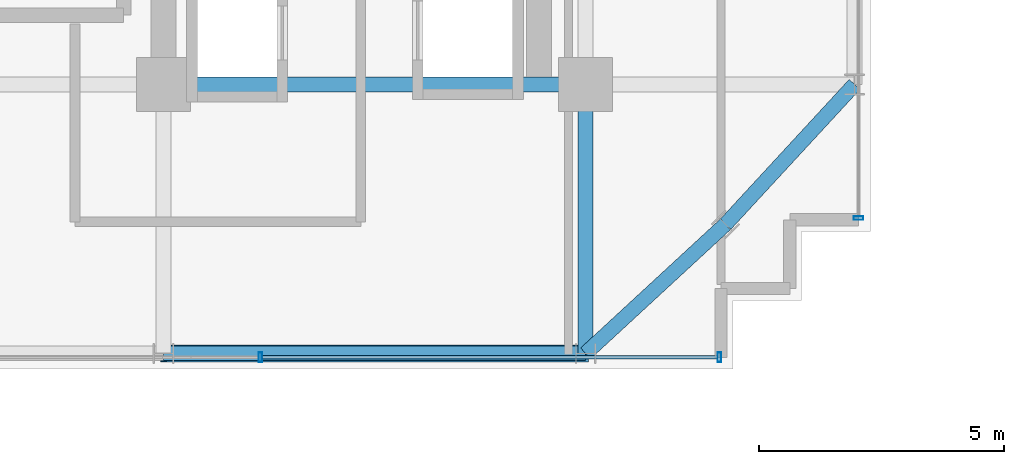
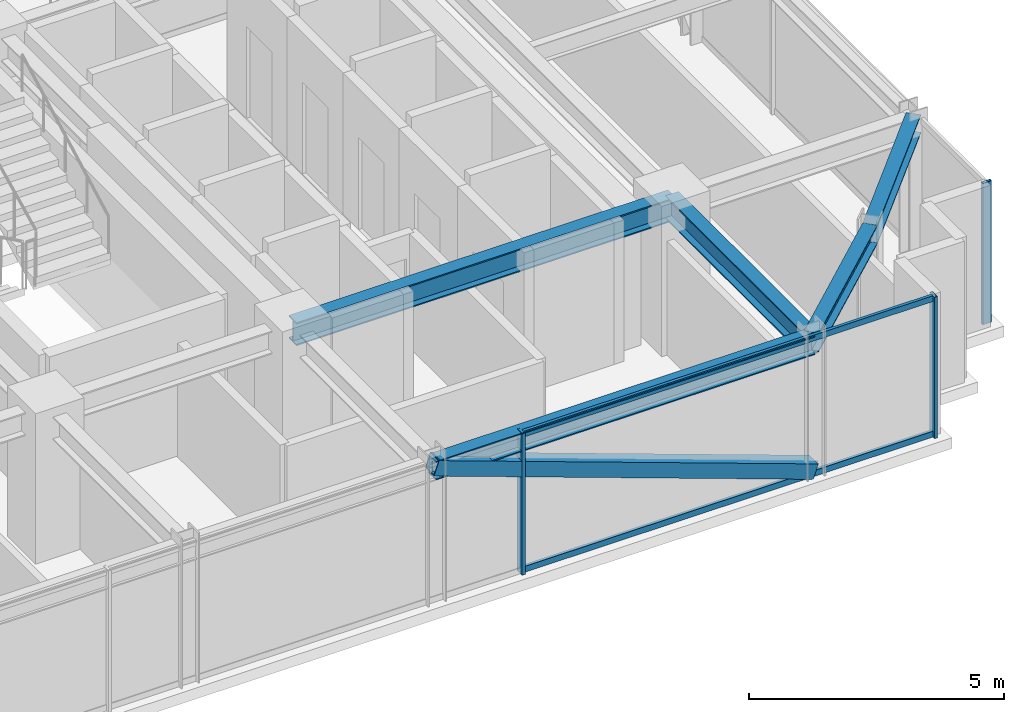
# One storey, part 13 of 38: 6 members, 5 beams, 2 elements without a shape of their own.
"""IFC4 building model written with IfcOpenShell, lengths in metres."""

from ifc_helpers import new_model, si_unit, direction, frame, origin, origin_2d, place, context, subcontext, project, spatial, hollow_rectangle, i_section, extrude, source, transform, mapped, material, material_profile, profile_set, type_object, element, aggregate, save


model = new_model("IFC4")

# Units and contexts
model_context = context("Model", 3, precision=1e-05, world=origin(), true_north=direction((0.0, 1.0)))
body_context = subcontext(model_context, "Body", "Model", "MODEL_VIEW")
ifc_project = project(units=[si_unit("LENGTHUNIT", "METRE"), si_unit("AREAUNIT", "SQUARE_METRE"), si_unit("VOLUMEUNIT", "CUBIC_METRE"), si_unit("PLANEANGLEUNIT", "RADIAN"), si_unit("MASSUNIT", "GRAM", prefix="KILO")], contexts=[model_context])

# Site, building, storey
site_placement = place(None, origin())
site = spatial("IfcSite", under=ifc_project, at=site_placement, CompositionType="ELEMENT")
building_placement = place(site_placement, origin())
building = spatial("IfcBuilding", under=site, at=building_placement, Name="Nahalor Promenade Grand Hotel", CompositionType="ELEMENT")
storey_placement = place(building_placement, frame((0.0, 0.0, 178.199951171875)))
storey = spatial("IfcBuildingStorey", under=building, at=storey_placement, Name="L45", CompositionType="ELEMENT", Elevation=178.199951171875)

# Beams
ifc_material_1 = material(Name="Steel S355JR", Category="steel")
ifc_material_profile_1 = material_profile(ifc_material_1, i_section(OverallWidth=0.3, OverallDepth=0.55, WebThickness=0.015, FlangeThickness=0.029, at=origin_2d()), Name="HEB 550")
ifc_profile_set_1 = profile_set([ifc_material_profile_1], Name="Steel S355JR")
beam_type_1 = type_object("IfcBeamType", Name="Beam-Girder-HEB550", PredefinedType="BEAM", material=ifc_profile_set_1)
shared_shape_1 = source(origin(), body_context, "Body", "SweptSolid", [
    extrude(i_section(OverallWidth=0.3, OverallDepth=0.55, WebThickness=0.015, FlangeThickness=0.029, at=origin_2d()), origin(), (0.0, 0.0, 1.0), 8.60009765625),
])
beam_1_placement = place(storey_placement, frame((8.39990234375, -17.0, 3.114990234375), z_axis=(1.0, 0.0, 0.0), x_axis=(0.0, 1.0, 0.0)))
element("IfcBeam", 1, at=beam_1_placement, inside=storey, type_object=beam_type_1, Name="BM-L45-GX-0-5", PredefinedType="BEAM", context=body_context, shape_type="MappedRepresentation", body=[
    mapped(shared_shape_1, transform((0.0, 0.0, 0.0), scale=1.0)),
])
shared_shape_2 = source(origin(), body_context, "Body", "SweptSolid", [
    extrude(i_section(OverallWidth=0.3, OverallDepth=0.55, WebThickness=0.015, FlangeThickness=0.029, at=origin_2d()), origin(), (0.0, 0.0, 1.0), 5.47998046875),
])
beam_2_placement = place(storey_placement, frame((17.0, -22.47998046875, 3.114990234375), z_axis=(0.0, 1.0, 0.0), x_axis=(-1.0, 0.0, 0.0)))
element("IfcBeam", 2, at=beam_2_placement, inside=storey, type_object=beam_type_1, Name="BM-L45-GY-5-0", PredefinedType="BEAM", context=body_context, shape_type="MappedRepresentation", body=[
    mapped(shared_shape_2, transform((0.0, 0.0, 0.0), scale=1.0)),
])
ifc_material_profile_2 = material_profile(ifc_material_1, i_section(OverallWidth=0.3, OverallDepth=0.45, WebThickness=0.014, FlangeThickness=0.026, at=origin_2d()), Name="HEB 450")
ifc_profile_set_2 = profile_set([ifc_material_profile_2], Name="Steel S355JR")
beam_type_2 = type_object("IfcBeamType", Name="Beam-Spandrel-HEB450", PredefinedType="SPANDREL", material=ifc_profile_set_2)
shared_shape_3 = source(origin(), body_context, "Body", "SweptSolid", [
    extrude(i_section(OverallWidth=0.3, OverallDepth=0.45, WebThickness=0.014, FlangeThickness=0.026, at=origin_2d()), origin(), (0.0, 0.0, 1.0), 8.60009765625),
])
beam_3_placement = place(storey_placement, frame((8.39990234375, -22.47998046875, 3.1650390625), z_axis=(1.0, 0.0, 0.0), x_axis=(0.0, 1.0, 0.0)))
element("IfcBeam", 3, at=beam_3_placement, inside=storey, type_object=beam_type_2, Name="BM-L45-SP-S-4", PredefinedType="SPANDREL", context=body_context, shape_type="MappedRepresentation", body=[
    mapped(shared_shape_3, transform((0.0, 0.0, 0.0), scale=1.0)),
])
shared_shape_4 = source(origin(), body_context, "Body", "SweptSolid", [
    extrude(i_section(OverallWidth=0.3, OverallDepth=0.45, WebThickness=0.014, FlangeThickness=0.026, at=origin_2d()), origin(), (0.0, 0.0, 1.0), 3.878173828125),
])
for number, where, z_axis, x_axis, name in (
    (4, (17.0, -22.47998046875, 3.1650390625), (0.73492893846, 0.678144125843, 0.0), (-0.678144125843, 0.73492893846, 0.0), "BM-L45-SPC-SE-1"),
    (5, (19.85009765625, -19.85009765625, 3.1650390625), (0.678144125843, 0.73492893846, 0.0), (-0.73492893846, 0.678144125843, 0.0), "BM-L45-SPC-SE-2"),
):
    element("IfcBeam", number, at=place(storey_placement, frame(where, z_axis=z_axis, x_axis=x_axis)), inside=storey, type_object=beam_type_2, Name=name, PredefinedType="SPANDREL", context=body_context, shape_type="MappedRepresentation", body=[
        mapped(shared_shape_4, transform((0.0, 0.0, 0.0), scale=1.0)),
    ])

# Member
ifc_material_profile_3 = material_profile(ifc_material_1, hollow_rectangle(XDim=0.35, YDim=0.35, WallThickness=0.02, at=origin_2d()), Name="SHS 350x350x20")
ifc_profile_set_3 = profile_set([ifc_material_profile_3], Name="Steel S355JR")
member_type_1 = type_object("IfcMemberType", Name="Mem-VoidBrace-SHS350", PredefinedType="BRACE", material=ifc_profile_set_3)
shared_shape_5 = source(origin(), body_context, "Body", "SweptSolid", [
    extrude(hollow_rectangle(XDim=0.35, YDim=0.35, WallThickness=0.02, at=origin_2d()), origin(), (0.0, 0.0, 1.0), 9.138427734375),
])
member_1_placement = place(storey_placement, frame((17.0, -22.47998046875, 0.150146484375), z_axis=(-0.941103144716, 0.0, 0.338119610501), x_axis=(0.0, -1.0, 0.0)))
element("IfcMember", 6, at=member_1_placement, inside=storey, type_object=member_type_1, Name="EXO-L45-S-1", PredefinedType="BRACE", context=body_context, shape_type="MappedRepresentation", body=[
    mapped(shared_shape_5, transform((0.0, 0.0, 0.0), scale=1.0)),
])

# Curtain wall, members
ifc_material_2 = material(Name="Anodised Bronze Aluminium EN AW-6063 T6", Category="aluminium")
curtain_wall_type = type_object("IfcCurtainWallType", Name="CW3 Elliptical-Void Collar Unitised Curtain Wall", PredefinedType="USERDEFINED", material=ifc_material_2)
curtain_wall_1_placement = place(storey_placement, origin())
curtain_wall_1 = element("IfcCurtainWall", 7, at=curtain_wall_1_placement, inside=storey, type_object=curtain_wall_type, Name="L45 Curtain Wall CW-L45-S-3", ObjectType="UNITISED_CURTAIN_WALL", PredefinedType="USERDEFINED")
ifc_material_profile_4 = material_profile(ifc_material_2, hollow_rectangle(XDim=0.07, YDim=0.2, WallThickness=0.005, at=origin_2d()), Name="CWM 70x200x5")
ifc_profile_set_4 = profile_set([ifc_material_profile_4], Name="Anodised Bronze Aluminium EN AW-6063 T6")
member_type_2 = type_object("IfcMemberType", Name="CWM3 Void Collar Mullion 70x200", PredefinedType="MULLION", material=ifc_profile_set_4)
shared_shape_6 = source(origin(), body_context, "Body", "SweptSolid", [
    extrude(hollow_rectangle(XDim=0.07, YDim=0.2, WallThickness=0.005, at=origin_2d()), origin(), (0.0, 0.0, 1.0), 3.39013671875),
])
member_2_placement = place(storey_placement, frame((10.373291015625, -22.56005859375, 0.0), z_axis=(0.0, 0.0, 1.0), x_axis=(1.0, 0.0, 0.0)))
member_2 = element("IfcMember", 8, at=member_2_placement, type_object=member_type_2, Name="CW-L45-S-3 Mullion 2", PredefinedType="MULLION", context=body_context, shape_type="MappedRepresentation", body=[
    mapped(shared_shape_6, transform((0.0, 0.0, 0.0), scale=1.0)),
])
member_3_placement = place(storey_placement, frame((19.72509765625, -22.56005859375, 0.0), z_axis=(0.0, 0.0, 1.0), x_axis=(1.0, 0.0, 0.0)))
member_3 = element("IfcMember", 9, at=member_3_placement, type_object=member_type_2, Name="CW-L45-S-3 Mullion 3", PredefinedType="MULLION", context=body_context, shape_type="MappedRepresentation", body=[
    mapped(shared_shape_6, transform((0.0, 0.0, 0.0), scale=1.0)),
])

# Curtain wall, member
curtain_wall_2_placement = place(storey_placement, origin())
curtain_wall_2 = element("IfcCurtainWall", 10, at=curtain_wall_2_placement, inside=storey, type_object=curtain_wall_type, Name="L45 Curtain Wall CW-L45-E-1", ObjectType="UNITISED_CURTAIN_WALL", PredefinedType="USERDEFINED")
member_4_placement = place(storey_placement, frame((22.56005859375, -19.72509765625, 0.0), z_axis=(0.0, 0.0, 1.0), x_axis=(0.0, 1.0, 0.0)))
member_4 = element("IfcMember", 11, at=member_4_placement, type_object=member_type_2, Name="CW-L45-E-1 Mullion 0", PredefinedType="MULLION", context=body_context, shape_type="MappedRepresentation", body=[
    mapped(shared_shape_6, transform((0.0, 0.0, 0.0), scale=1.0)),
])
aggregate(curtain_wall_2, [member_4])

# Member
ifc_material_profile_5 = material_profile(ifc_material_2, hollow_rectangle(XDim=0.07, YDim=0.14, WallThickness=0.004, at=origin_2d()), Name="CWT 70x140x4")
ifc_profile_set_5 = profile_set([ifc_material_profile_5], Name="Anodised Bronze Aluminium EN AW-6063 T6")
member_type_3 = type_object("IfcMemberType", Name="CWT3 Void Collar Transom 70x140", PredefinedType="USERDEFINED", material=ifc_profile_set_5)
shared_shape_7 = source(origin(), body_context, "Body", "SweptSolid", [
    extrude(hollow_rectangle(XDim=0.07, YDim=0.14, WallThickness=0.004, at=origin_2d()), origin(), (0.0, 0.0, 1.0), 9.281494140625),
])
member_5_placement = place(storey_placement, frame((10.408447265625, -22.56005859375, 0.070068359375), z_axis=(1.0, 0.0, 0.0), x_axis=(0.0, 1.0, 0.0)))
member_5 = element("IfcMember", 12, at=member_5_placement, type_object=member_type_3, Name="CW-L45-S-3 Transom 2-0", ObjectType="TRANSOM", PredefinedType="USERDEFINED", context=body_context, shape_type="MappedRepresentation", body=[
    mapped(shared_shape_7, transform((0.0, 0.0, 0.0), scale=1.0)),
])

member_6_placement = place(storey_placement, frame((10.408447265625, -22.56005859375, 3.320068359375), z_axis=(1.0, 0.0, 0.0), x_axis=(0.0, 1.0, 0.0)))
member_6 = element("IfcMember", 13, at=member_6_placement, type_object=member_type_3, Name="CW-L45-S-3 Transom 2-1", ObjectType="TRANSOM", PredefinedType="USERDEFINED", context=body_context, shape_type="MappedRepresentation", body=[
    mapped(shared_shape_7, transform((0.0, 0.0, 0.0), scale=1.0)),
])

aggregate(curtain_wall_1, [member_2, member_3, member_5, member_6])

save(model, "model.ifc")
